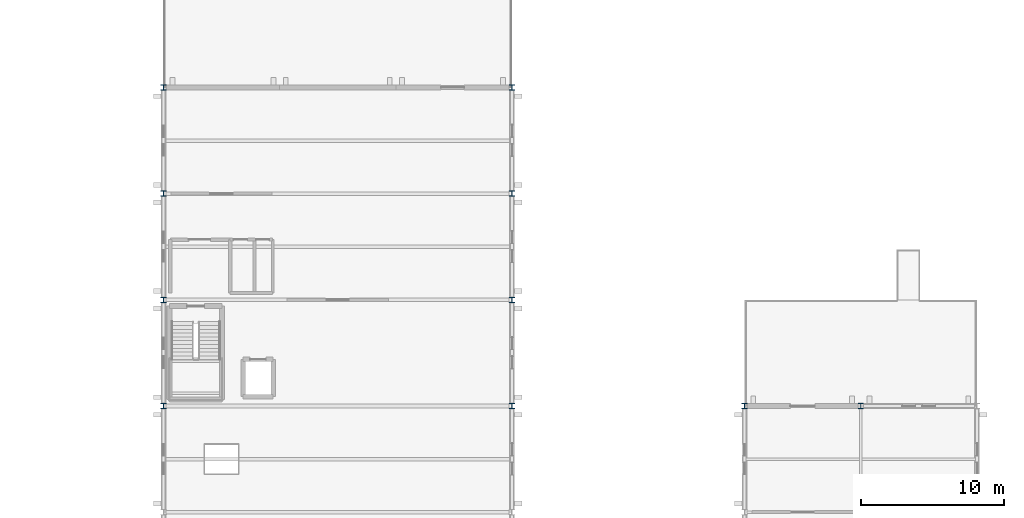
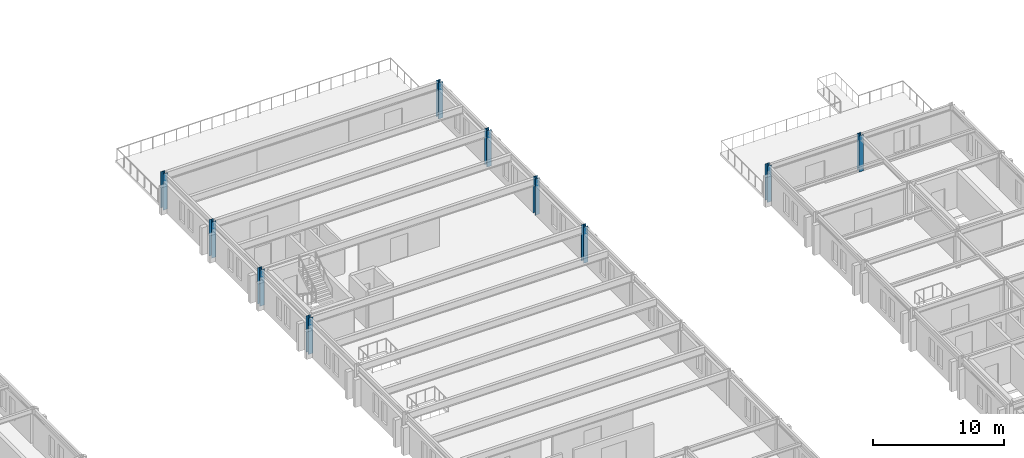
# One storey, part 4 of 19: 10 columns.
"""IFC4 building model written with IfcOpenShell, lengths in metres."""

from ifc_helpers import new_model, si_unit, direction, frame, origin, origin_2d, place, context, subcontext, project, spatial, i_section, extrude, material, material_profile, profile_set, type_object, element, save


model = new_model("IFC4")

# Units and contexts
model_context = context("Model", 3, precision=1e-05, world=origin(), true_north=direction((0.0, 1.0)))
body_context = subcontext(model_context, "Body", "Model", "MODEL_VIEW")
ifc_project = project(units=[si_unit("LENGTHUNIT", "METRE"), si_unit("AREAUNIT", "SQUARE_METRE"), si_unit("VOLUMEUNIT", "CUBIC_METRE"), si_unit("PLANEANGLEUNIT", "RADIAN"), si_unit("MASSUNIT", "GRAM", prefix="KILO")], contexts=[model_context])

# Site, building, storey
site_placement = place(None, origin())
site = spatial("IfcSite", under=ifc_project, at=site_placement, CompositionType="ELEMENT")
building_placement = place(site_placement, origin())
building = spatial("IfcBuilding", under=site, at=building_placement, Name="Cimatlan Art Gallery", CompositionType="ELEMENT")
storey_placement = place(building_placement, frame((0.0, 0.0, 17.39990234375)))
storey = spatial("IfcBuildingStorey", under=building, at=storey_placement, Name="L04", CompositionType="ELEMENT", Elevation=17.39990234375)

# Columns
ifc_material = material(Name="Steel ASTM A992 Grade 50", Category="steel")
ifc_material_profile_1 = material_profile(ifc_material, i_section(OverallWidth=0.3740234375, OverallDepth=0.3720703125, WebThickness=0.016357421875, FlangeThickness=0.026123046875, at=origin_2d()), Name="W14X132")
ifc_profile_set_1 = profile_set([ifc_material_profile_1], Name="Steel ASTM A992 Grade 50")
column_type_1 = type_object("IfcColumnType", Name="COL-STL-W14X132", PredefinedType="COLUMN", material=ifc_profile_set_1)
for number, where, z_axis, x_axis, name in (
    (1, (115.39990234375, 60.89990234375, 0.0), (0.0, 0.0, 1.0), (1.0, 0.0, 0.0), "COL-L04-14-08"),
    (2, (123.5, 60.89990234375, 0.0), (0.0, 0.0, 1.0), (1.0, 0.0, 0.0), "COL-L04-15-08"),
):
    element("IfcColumn", number, at=place(storey_placement, frame(where, z_axis=z_axis, x_axis=x_axis)), inside=storey, type_object=column_type_1, Name=name, PredefinedType="COLUMN", context=body_context, shape_type="SweptSolid", body=[
        extrude(i_section(OverallWidth=0.3740234375, OverallDepth=0.3720703125, WebThickness=0.016357421875, FlangeThickness=0.026123046875, at=origin_2d()), origin(), (0.0, 0.0, 1.0), 3.380126953125),
    ])
ifc_material_profile_2 = material_profile(ifc_material, i_section(OverallWidth=0.39404296875, OverallDepth=0.3759765625, WebThickness=0.017333984375, FlangeThickness=0.027587890625, at=origin_2d()), Name="W14X145")
ifc_profile_set_2 = profile_set([ifc_material_profile_2], Name="Steel ASTM A992 Grade 50")
column_type_2 = type_object("IfcColumnType", Name="COL-STL-W14X145", PredefinedType="COLUMN", material=ifc_profile_set_2)
for number, where, z_axis, x_axis, name in (
    (3, (74.89990234375, 60.89990234375, 0.0), (0.0, 0.0, 1.0), (1.0, 0.0, 0.0), "COL-L04-09-08"),
    (4, (74.89990234375, 68.300048828125, 0.0), (0.0, 0.0, 1.0), (1.0, 0.0, 0.0), "COL-L04-09-09"),
    (5, (74.89990234375, 75.699951171875, 0.0), (0.0, 0.0, 1.0), (1.0, 0.0, 0.0), "COL-L04-09-10"),
    (6, (74.89990234375, 83.10009765625, 0.0), (0.0, 0.0, 1.0), (1.0, 0.0, 0.0), "COL-L04-09-11"),
    (7, (99.199951171875, 60.89990234375, 0.0), (0.0, 0.0, 1.0), (1.0, 0.0, 0.0), "COL-L04-12-08"),
    (8, (99.199951171875, 68.300048828125, 0.0), (0.0, 0.0, 1.0), (1.0, 0.0, 0.0), "COL-L04-12-09"),
    (9, (99.199951171875, 75.699951171875, 0.0), (0.0, 0.0, 1.0), (1.0, 0.0, 0.0), "COL-L04-12-10"),
    (10, (99.199951171875, 83.10009765625, 0.0), (0.0, 0.0, 1.0), (1.0, 0.0, 0.0), "COL-L04-12-11"),
):
    element("IfcColumn", number, at=place(storey_placement, frame(where, z_axis=z_axis, x_axis=x_axis)), inside=storey, type_object=column_type_2, Name=name, PredefinedType="COLUMN", context=body_context, shape_type="SweptSolid", body=[
        extrude(i_section(OverallWidth=0.39404296875, OverallDepth=0.3759765625, WebThickness=0.017333984375, FlangeThickness=0.027587890625, at=origin_2d()), origin(), (0.0, 0.0, 1.0), 3.380126953125),
    ])

save(model, "model.ifc")
